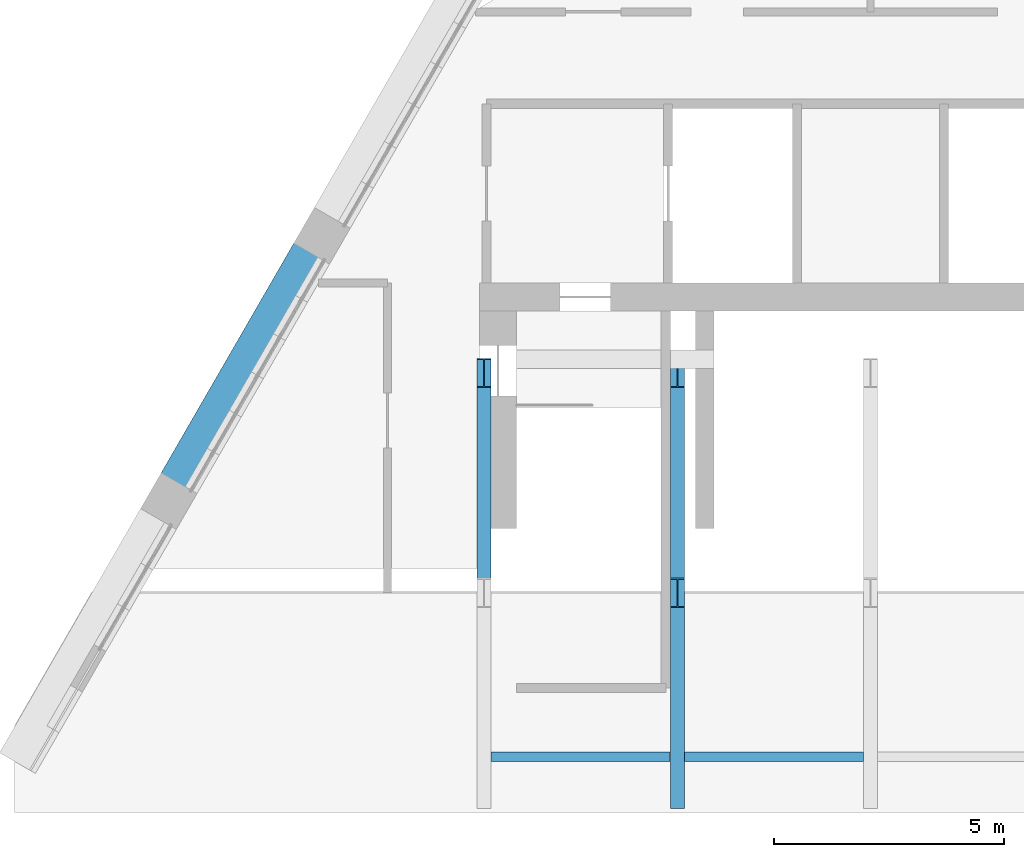
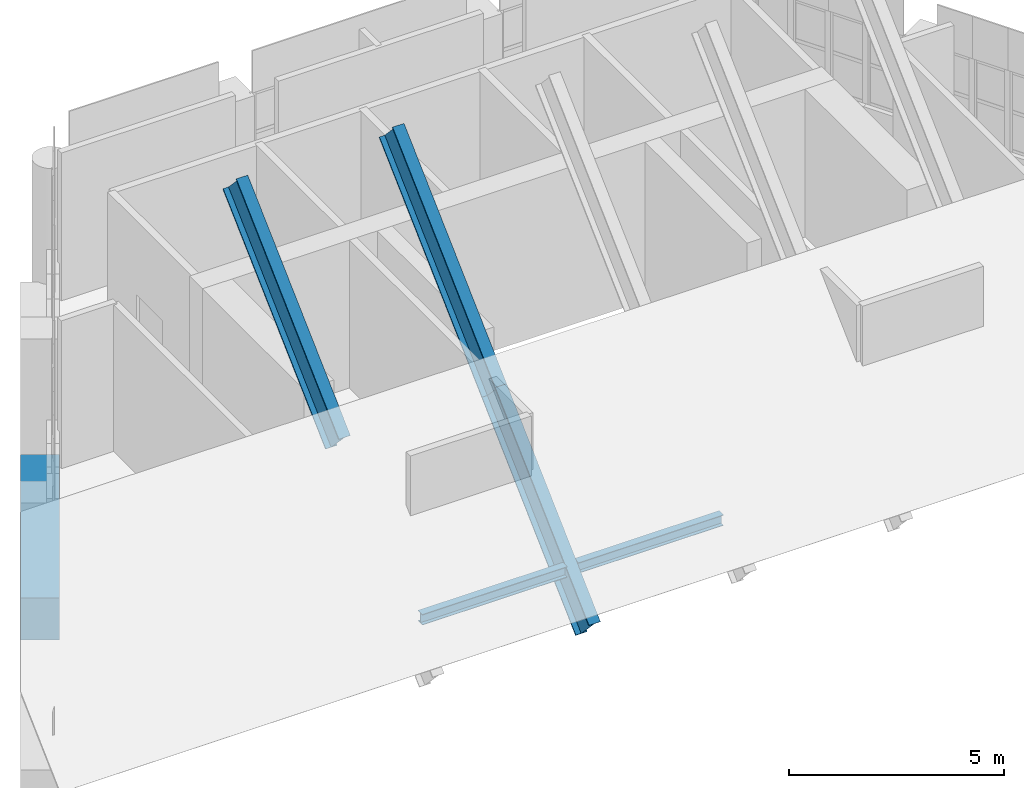
# One storey, part 3 of 16: 5 members, 1 beam.
"""IFC4 building model written with IfcOpenShell, lengths in metres."""

from ifc_helpers import new_model, si_unit, direction, frame, origin, origin_2d, place, context, subcontext, project, spatial, rectangle, i_section, extrude, material, material_profile, profile_set, type_object, element, save


model = new_model("IFC4")

# Units and contexts
model_context = context("Model", 3, precision=1e-05, world=origin(), true_north=direction((0.0, 1.0)))
body_context = subcontext(model_context, "Body", "Model", "MODEL_VIEW")
ifc_project = project(units=[si_unit("LENGTHUNIT", "METRE"), si_unit("AREAUNIT", "SQUARE_METRE"), si_unit("VOLUMEUNIT", "CUBIC_METRE"), si_unit("PLANEANGLEUNIT", "RADIAN"), si_unit("MASSUNIT", "GRAM", prefix="KILO")], contexts=[model_context])

# Site, building, storey
site_placement = place(None, origin())
site = spatial("IfcSite", under=ifc_project, at=site_placement, CompositionType="ELEMENT")
building_placement = place(site_placement, origin())
building = spatial("IfcBuilding", under=site, at=building_placement, Name="Ostrander Bayou Hotel Tower", CompositionType="ELEMENT")
storey_placement = place(building_placement, frame((0.0, 0.0, 288.5)))
storey = spatial("IfcBuildingStorey", under=building, at=storey_placement, Name="L71", CompositionType="ELEMENT", Elevation=288.5)

# Members
ifc_material_1 = material(Name="Steel ASTM A992", Category="steel")
ifc_material_profile_1 = material_profile(ifc_material_1, i_section(OverallWidth=0.203369140625, OverallDepth=0.30322265625, WebThickness=0.007568359375, FlangeThickness=0.01318359375, at=origin_2d()))
ifc_profile_set_1 = profile_set([ifc_material_profile_1], Name="Steel ASTM A992")
member_type_1 = type_object("IfcMemberType", Name="CP3 crown purlin W12x40", PredefinedType="PURLIN", material=ifc_profile_set_1)
member_1_placement = place(storey_placement, frame((-8.24609375, -0.60009765625, 0.645263671875), z_axis=(1.0, 0.0, 0.0), x_axis=(0.0, 1.0, 0.0)))
element("IfcMember", 1, at=member_1_placement, inside=storey, type_object=member_type_1, Name="CP3 P1-6", PredefinedType="PURLIN", context=body_context, shape_type="SweptSolid", body=[
    extrude(i_section(OverallWidth=0.203369140625, OverallDepth=0.30322265625, WebThickness=0.007568359375, FlangeThickness=0.01318359375, at=origin_2d()), origin(), (0.0, 0.0, 1.0), 3.89208984375),
])
member_2_placement = place(storey_placement, frame((-4.046142578125, -0.60009765625, 0.645263671875), z_axis=(1.0, 0.0, 0.0), x_axis=(0.0, 1.0, 0.0)))
element("IfcMember", 2, at=member_2_placement, inside=storey, type_object=member_type_1, Name="CP3 P2-17", PredefinedType="PURLIN", context=body_context, shape_type="SweptSolid", body=[
    extrude(i_section(OverallWidth=0.203369140625, OverallDepth=0.30322265625, WebThickness=0.007568359375, FlangeThickness=0.01318359375, at=origin_2d()), origin(), (0.0, 0.0, 1.0), 3.892333984375),
])
ifc_material_2 = material(Name="Steel ASTM A992", Category="steel")
ifc_material_profile_2 = material_profile(ifc_material_2, i_section(OverallWidth=0.307861328125, OverallDepth=0.9267578125, WebThickness=0.01953125, FlangeThickness=0.031982421875, at=origin_2d()))
ifc_profile_set_2 = profile_set([ifc_material_profile_2], Name="Steel ASTM A992")
member_type_2 = type_object("IfcMemberType", Name="CR1 crown rafter W36x194", PredefinedType="RAFTER", material=ifc_profile_set_2)
member_3_placement = place(storey_placement, frame((-8.39990234375, 2.967041015625, 3.52001953125), z_axis=(0.0, 0.727954250477, 0.685625706353), x_axis=(-1.0, 0.0, 0.0)))
element("IfcMember", 3, at=member_3_placement, inside=storey, type_object=member_type_2, Name="CR1 R1-6", PredefinedType="RAFTER", context=body_context, shape_type="SweptSolid", body=[
    extrude(i_section(OverallWidth=0.307861328125, OverallDepth=0.9267578125, WebThickness=0.01953125, FlangeThickness=0.031982421875, at=origin_2d()), origin(), (0.0, 0.0, 1.0), 6.563720703125),
])
member_4_placement = place(storey_placement, frame((-4.199951171875, -1.39990234375, -0.59326171875), z_axis=(0.0, 0.727932313217, 0.685648997209), x_axis=(-1.0, 0.0, 0.0)))
element("IfcMember", 4, at=member_4_placement, inside=storey, type_object=member_type_2, Name="CR1 R2-5", PredefinedType="RAFTER", context=body_context, shape_type="SweptSolid", body=[
    extrude(i_section(OverallWidth=0.307861328125, OverallDepth=0.9267578125, WebThickness=0.01953125, FlangeThickness=0.031982421875, at=origin_2d()), origin(), (0.0, 0.0, 1.0), 5.9990234375),
])
member_5_placement = place(storey_placement, frame((-4.199951171875, 2.967041015625, 3.52001953125), z_axis=(0.0, 0.727954250477, 0.685625706353), x_axis=(-1.0, 0.0, 0.0)))
element("IfcMember", 5, at=member_5_placement, inside=storey, type_object=member_type_2, Name="CR1 R2-6", PredefinedType="RAFTER", context=body_context, shape_type="SweptSolid", body=[
    extrude(i_section(OverallWidth=0.307861328125, OverallDepth=0.9267578125, WebThickness=0.01953125, FlangeThickness=0.031982421875, at=origin_2d()), origin(), (0.0, 0.0, 1.0), 6.563720703125),
])

# Beam
ifc_material_3 = material(Name="Concrete f'c 60 MPa", Category="concrete")
ifc_material_profile_3 = material_profile(ifc_material_3, rectangle(XDim=0.89990234375, YDim=1.199951171875, at=origin_2d()))
ifc_profile_set_3 = profile_set([ifc_material_profile_3], Name="Concrete f'c 60 MPa")
beam_type = type_object("IfcBeamType", Name="SP4 spandrel beam 900 x 1200 mm f'c 60 MPa", PredefinedType="SPANDREL", material=ifc_profile_set_3)
beam_placement = place(storey_placement, frame((-12.13623046875, 10.366455078125, -0.60009765625), z_axis=(-0.499997265274, -0.866026982673, 0.0), x_axis=(0.866026982673, -0.499997265274, 0.0)))
element("IfcBeam", 6, at=beam_placement, inside=storey, type_object=beam_type, Name="SP4 L71 NW-2", PredefinedType="SPANDREL", context=body_context, shape_type="SweptSolid", body=[
    extrude(rectangle(XDim=0.89990234375, YDim=1.199951171875, at=origin_2d()), origin(), (0.0, 0.0, 1.0), 5.81884765625),
])

save(model, "model.ifc")
